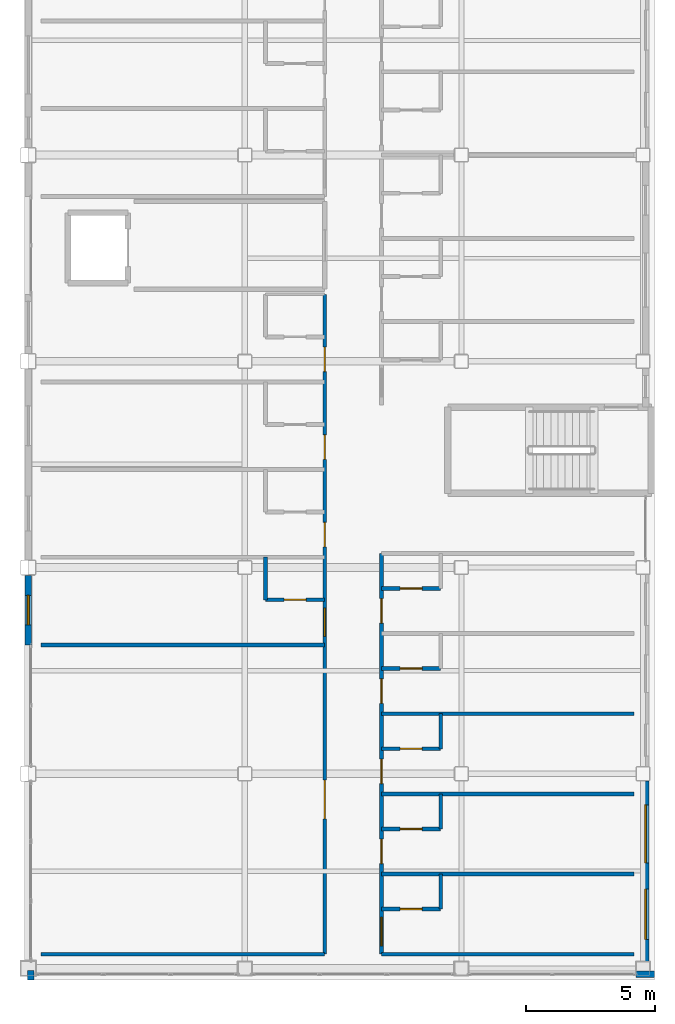
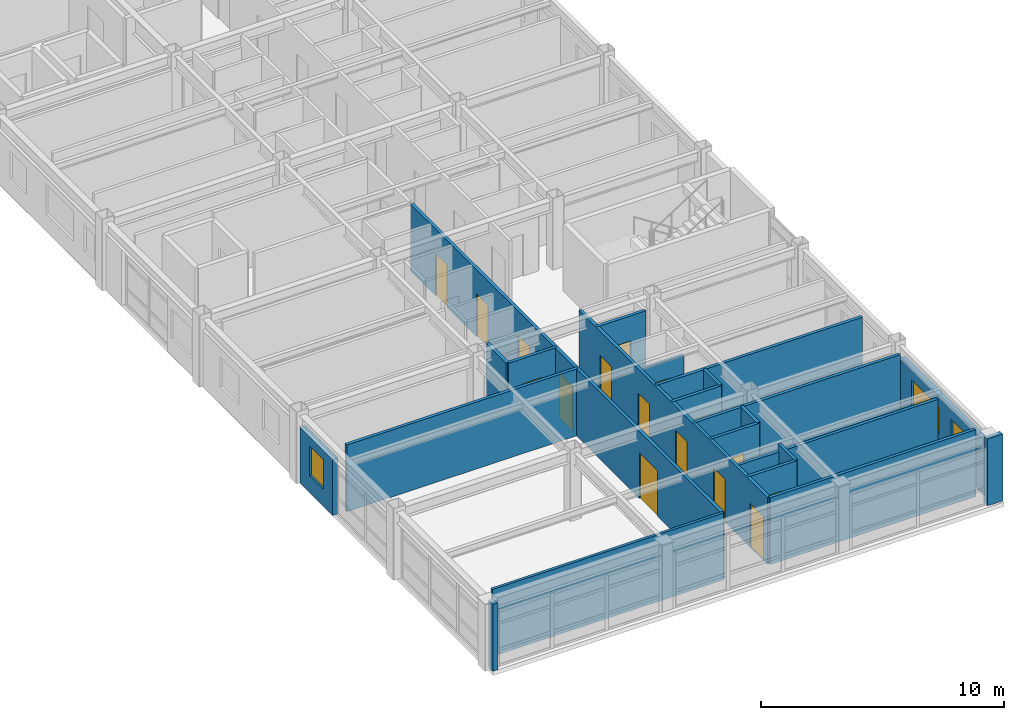
# One storey, part 24 of 36: 22 walls, 16 doors, 3 windows, 19 openings.
"""IFC4 building model written with IfcOpenShell, lengths in metres."""

import ifcopenshell
import ifcopenshell.guid

model = None  # the IFC model being written
_history = None  # IfcOwnerHistory: only IFC2X3 demands one
_inside = {}  # id of a spatial element -> (the spatial element, [elements in it])
_under = {}  # id of a project, library or spatial element -> (it, [spatial elements below it])
_declared = {}  # id of a project -> (the project, [libraries it declares])
_typed = {}  # id of a type object -> (the type object, [elements of that type])
_made_of = {}  # id of a material, layer set ... -> (it, [elements and type objects made of it])


def new_model(schema):
    """Start an empty IFC model of exactly this schema.

    Asked for "IFC4X3", IfcOpenShell would pick the latest addendum, in which some entities
    have other attributes; the version numbers below select the first issue.
    IFC2X3 requires an IfcOwnerHistory on every rooted entity: one is made here for all.
    """
    global model, _history
    if schema == "IFC4X3":
        model = ifcopenshell.file(schema_version=(4, 3, 0, 0))
    else:
        model = ifcopenshell.file(schema=schema)
    _inside.clear()
    _under.clear()
    _declared.clear()
    _typed.clear()
    _made_of.clear()
    _history = None
    if model.schema == "IFC2X3":
        org = make("IfcOrganization", Name="unknown")
        user = make(
            "IfcPersonAndOrganization",
            ThePerson=make("IfcPerson", FamilyName="unknown"),
            TheOrganization=org,
        )
        app = make(
            "IfcApplication",
            ApplicationDeveloper=org,
            Version="unknown",
            ApplicationFullName="unknown",
            ApplicationIdentifier="unknown",
        )
        _history = make(
            "IfcOwnerHistory",
            OwningUser=user,
            OwningApplication=app,
            ChangeAction="ADDED",
            CreationDate=0,
        )
    return model


def make(cls, **values):
    """One entity of the class cls with the attributes given. An attribute that is None is left unset."""
    return model.create_entity(
        cls, **{name: value for name, value in values.items() if value is not None}
    )


def rooted(cls, **values):
    """An entity with a GlobalId (a new one), such as an element, a storey or a relation."""
    return make(cls, GlobalId=ifcopenshell.guid.new(), OwnerHistory=_history, **values)


def si_unit(unit_type, name, prefix=None):
    """IfcSIUnit, for example si_unit("LENGTHUNIT", "METRE", prefix="MILLI")."""
    return make("IfcSIUnit", UnitType=unit_type, Prefix=prefix, Name=name)


def assignment(units):
    """IfcUnitAssignment: the units of a project."""
    return None if units is None else make("IfcUnitAssignment", Units=units)


def point(xyz):
    """IfcCartesianPoint."""
    return None if xyz is None else make("IfcCartesianPoint", Coordinates=xyz)


def direction(xyz):
    """IfcDirection."""
    return None if xyz is None else make("IfcDirection", DirectionRatios=xyz)


def frame(location, z_axis=None, x_axis=None):
    """IfcAxis2Placement3D, a coordinate frame: its origin and axes. An axis left out is left unset."""
    return make(
        "IfcAxis2Placement3D",
        Location=point(location),
        Axis=direction(z_axis),
        RefDirection=direction(x_axis),
    )


def frame_2d(location, x_axis=None):
    """IfcAxis2Placement2D, a coordinate frame in the plane: its origin and x axis."""
    return make(
        "IfcAxis2Placement2D", Location=point(location), RefDirection=direction(x_axis)
    )


def origin():
    """The frame at (0, 0, 0) with its axes left unset."""
    return frame((0.0, 0.0, 0.0))


def place(relative_to, where):
    """IfcLocalPlacement: puts the frame where relative to a parent placement (None: the world)."""
    return make(
        "IfcLocalPlacement", PlacementRelTo=relative_to, RelativePlacement=where
    )


def context(
    kind, dimensions, precision=None, world=None, true_north=None, identifier=None
):
    """IfcGeometricRepresentationContext, for example the 3D "Model" context."""
    return make(
        "IfcGeometricRepresentationContext",
        ContextIdentifier=identifier,
        ContextType=kind,
        CoordinateSpaceDimension=dimensions,
        Precision=precision,
        WorldCoordinateSystem=world,
        TrueNorth=true_north,
    )


def subcontext(parent, identifier, kind, view, scale=None):
    """IfcGeometricRepresentationSubContext, for example "Body" below "Model"."""
    return make(
        "IfcGeometricRepresentationSubContext",
        ContextIdentifier=identifier,
        ContextType=kind,
        ParentContext=parent,
        TargetScale=scale,
        TargetView=view,
    )


def project(units=None, contexts=None):
    """IfcProject with its units and contexts."""
    return rooted(
        "IfcProject",
        Name="project",
        RepresentationContexts=contexts,
        UnitsInContext=assignment(units),
    )


def spatial(cls, under=None, at=None, **own):
    """A site, building, storey or space (cls), placed at a placement, below another one or the project."""
    s = rooted(cls, ObjectPlacement=at, **own)
    if under is not None:
        _under.setdefault(under.id(), (under, []))[1].append(s)
    return s


def profile(cls, at=None, kind="AREA", **sizes):
    """A parametric profile (cls). Its sizes go by their IFC names, for example OverallWidth=200.0."""
    return make(cls, ProfileType=kind, Position=at, **sizes)


def rectangle(**sizes):
    """IfcRectangleProfileDef."""
    return profile("IfcRectangleProfileDef", **sizes)


def extrude(swept, where, along, depth):
    """IfcExtrudedAreaSolid: the profile swept, set in the frame where, extruded along a direction by depth."""
    return make(
        "IfcExtrudedAreaSolid",
        SweptArea=swept,
        Position=where,
        ExtrudedDirection=direction(along),
        Depth=depth,
    )


def shape(context_of_items, identifier, shape_type, items):
    """IfcShapeRepresentation: the items that make up one representation, for example the "Body"."""
    return make(
        "IfcShapeRepresentation",
        ContextOfItems=context_of_items,
        RepresentationIdentifier=identifier,
        RepresentationType=shape_type,
        Items=items,
    )


def material(Name=None, Category=None):
    """IfcMaterial."""
    return make("IfcMaterial", Name=Name, Category=Category)


def layer(
    of_material, thickness, ventilated=None, Name=None, Category=None, Priority=None
):
    """IfcMaterialLayer: one layer of a wall or slab, of a material (None: an air gap)."""
    return make(
        "IfcMaterialLayer",
        Material=of_material,
        LayerThickness=thickness,
        IsVentilated=ventilated,
        Name=Name,
        Category=Category,
        Priority=Priority,
    )


def layer_set(layers, Name=None):
    """IfcMaterialLayerSet."""
    return make("IfcMaterialLayerSet", MaterialLayers=layers, LayerSetName=Name)


def made_of(thing, what):
    """Note that an element or type object is made of a material, layer set ...; save() writes the relation."""
    if what is not None:
        _made_of.setdefault(what.id(), (what, []))[1].append(thing)
    return thing


def type_object(cls, material=None, **own):
    """A type object (cls), such as IfcWallType, which elements share."""
    return made_of(rooted(cls, **own), material)


def element(
    cls,
    number,
    at=None,
    inside=None,
    cuts=None,
    type_object=None,
    material=None,
    context=None,
    identifier="Body",
    shape_type=None,
    held_by="IfcProductDefinitionShape",
    body=None,
    shapes=None,
    **own,
):
    """One element of the class cls, such as IfcWall. Its Tag is "e" and its number.

    at: its placement. inside: the storey or other place that contains it. cuts: it is an
    opening in that element (IfcRelVoidsElement). A single representation is given by context,
    identifier, shape_type and body (its items); several are given by shapes. held_by: the class
    of the entity that holds the representations. save() writes the other relations.
    """
    e = rooted(cls, Tag="e%d" % number, ObjectPlacement=at, **own)
    if body is not None:
        shapes = [shape(context, identifier, shape_type, body)]
    if shapes is not None:
        e.Representation = make(held_by, Representations=shapes)
    if inside is not None:
        _inside.setdefault(inside.id(), (inside, []))[1].append(e)
    if cuts is not None:
        rooted(
            "IfcRelVoidsElement", RelatingBuildingElement=cuts, RelatedOpeningElement=e
        )
    if type_object is not None:
        _typed.setdefault(type_object.id(), (type_object, []))[1].append(e)
    return made_of(e, material)


def fill(opening, filler):
    """IfcRelFillsElement: the door or window that sits in an opening."""
    return rooted(
        "IfcRelFillsElement",
        RelatingOpeningElement=opening,
        RelatedBuildingElement=filler,
    )


def aggregate(whole, parts):
    """IfcRelAggregates: a whole, such as a stair, and the parts it consists of."""
    return rooted("IfcRelAggregates", RelatingObject=whole, RelatedObjects=parts)


def save(model, path):
    """Write the relations noted so far, then the file.

    IfcRelAggregates (storeys below a building ...), IfcRelContainedInSpatialStructure (elements
    in a storey), IfcRelDefinesByType, IfcRelAssociatesMaterial and IfcRelDeclares: one each for
    every whole, place, type object, material and project.
    """
    for whole, parts in _under.values():
        aggregate(whole, parts)
    for where, things in _inside.values():
        rooted(
            "IfcRelContainedInSpatialStructure",
            RelatedElements=things,
            RelatingStructure=where,
        )
    for kind, things in _typed.values():
        rooted("IfcRelDefinesByType", RelatedObjects=things, RelatingType=kind)
    for what, things in _made_of.values():
        rooted("IfcRelAssociatesMaterial", RelatedObjects=things, RelatingMaterial=what)
    for by, libraries in _declared.values():
        rooted("IfcRelDeclares", RelatingContext=by, RelatedDefinitions=libraries)
    model.write(path)


model = new_model("IFC4")

# Units and contexts
model_context = context("Model", 3, precision=1e-05, world=origin(), true_north=direction((0.0, 1.0)))
body_context = subcontext(model_context, "Body", "Model", "MODEL_VIEW")
ifc_project = project(units=[si_unit("LENGTHUNIT", "METRE"), si_unit("AREAUNIT", "SQUARE_METRE"), si_unit("VOLUMEUNIT", "CUBIC_METRE"), si_unit("PLANEANGLEUNIT", "RADIAN"), si_unit("MASSUNIT", "GRAM", prefix="KILO")], contexts=[model_context])

# Site, building, storey
site_placement = place(None, origin())
site = spatial("IfcSite", under=ifc_project, at=site_placement, CompositionType="ELEMENT")
building_placement = place(site_placement, origin())
building = spatial("IfcBuilding", under=site, at=building_placement, Name="Kazehara Bluff Congress Hotel", CompositionType="ELEMENT")
storey_placement = place(building_placement, frame((0.0, 0.0, 28.199951171875)))
storey = spatial("IfcBuildingStorey", under=building, at=storey_placement, Name="L06", CompositionType="ELEMENT", Elevation=28.199951171875)

# Walls
ifc_material_1 = material(Name="Precast concrete C40/50", Category="concrete")
ifc_layer_1 = layer(ifc_material_1, 0.239990234375)
ifc_layer_set_1 = layer_set([ifc_layer_1], Name="Precast concrete C40/50")
wall_type_1 = type_object("IfcWallType", Name="TP-EW-240", PredefinedType="SOLIDWALL", material=ifc_layer_set_1)
wall_1_placement = place(storey_placement, frame((168.0, 0.219970703125, 0.0), z_axis=(0.0, 0.0, 1.0), x_axis=(-1.0, 0.0, 0.0)))
element("IfcWall", 1, at=wall_1_placement, inside=storey, type_object=wall_type_1, Name="L06 V5 perimeter spandrel pier 738", PredefinedType="SOLIDWALL", context=body_context, shape_type="SweptSolid", body=[
    extrude(rectangle(XDim=0.72509765625, YDim=0.239990234375, at=frame_2d((0.362548828125, 0.0))), origin(), (0.0, 0.0, 1.0), 3.364990234375),
])
wall_2_placement = place(storey_placement, frame((143.800048828125, 0.0, 0.0), z_axis=(0.0, 0.0, 1.0), x_axis=(0.0, 1.0, 0.0)))
element("IfcWall", 2, at=wall_2_placement, inside=storey, type_object=wall_type_1, Name="L06 V5 perimeter spandrel pier 742", PredefinedType="SOLIDWALL", context=body_context, shape_type="SweptSolid", body=[
    extrude(rectangle(XDim=0.360107421875, YDim=0.239990234375, at=frame_2d((0.18017578125, 0.0))), origin(), (0.0, 0.0, 1.0), 3.364990234375),
])

# Wall, openings, windows
ifc_material_2 = material(Name="Precast concrete C40/50", Category="concrete")
ifc_layer_2 = layer(ifc_material_2, 0.260009765625)
ifc_layer_set_2 = layer_set([ifc_layer_2], Name="Precast concrete C40/50")
wall_type_2 = type_object("IfcWallType", Name="TP-EW-260", PredefinedType="SOLIDWALL", material=ifc_layer_set_2)
wall_3_placement = place(storey_placement, frame((167.64990234375, 7.72509765625, 0.0), z_axis=(0.0, 0.0, 1.0), x_axis=(0.0, -1.0, 0.0)))
wall_3 = element("IfcWall", 3, at=wall_3_placement, inside=storey, type_object=wall_type_2, Name="L06 hotel facade panel 66", PredefinedType="SOLIDWALL", context=body_context, shape_type="SweptSolid", body=[
    extrude(rectangle(XDim=7.0, YDim=0.260009765625, at=frame_2d((3.5, 0.0))), origin(), (0.0, 0.0, 1.0), 2.755126953125),
])
opening_1_placement = place(wall_3_placement, frame((4.195068359375, 0.0, 0.85009765625)))
opening_1 = element("IfcOpeningElement", 4, at=opening_1_placement, cuts=wall_3, Name="Opening WN-41", PredefinedType="OPENING", context=body_context, shape_type="SweptSolid", body=[
    extrude(rectangle(XDim=1.949951171875, YDim=1.35009765625, at=frame_2d((0.97509765625, 0.675048828125))), frame((0.0, 0.139892578125, 0.0), z_axis=(0.0, -1.0, 0.0), x_axis=(1.0, 0.0, 0.0)), (0.0, 0.0, 1.0), 0.280029296875),
])
opening_2_placement = place(wall_3_placement, frame((0.93505859375, 0.0, 0.85009765625)))
opening_2 = element("IfcOpeningElement", 5, at=opening_2_placement, cuts=wall_3, Name="Opening WN-51", PredefinedType="OPENING", context=body_context, shape_type="SweptSolid", body=[
    extrude(rectangle(XDim=2.25, YDim=1.35009765625, at=frame_2d((1.125, 0.675048828125))), frame((0.0, 0.139892578125, 0.0), z_axis=(0.0, -1.0, 0.0), x_axis=(1.0, 0.0, 0.0)), (0.0, 0.0, 1.0), 0.280029296875),
])
ifc_material_3 = material(Name="Insulated low-E double glazing", Category="glass")
window_type_1 = type_object("IfcWindowType", Name="TP-WN-41", PartitioningType="DOUBLE_PANEL_VERTICAL", PredefinedType="WINDOW", material=ifc_material_3)
window_1_placement = place(opening_1_placement, origin())
window_1 = element("IfcWindow", 6, at=window_1_placement, inside=storey, type_object=window_type_1, Name="L06 guestroom window WN-41 119", OverallHeight=1.35009765625, OverallWidth=1.949951171875, PartitioningType="SINGLE_PANEL", PredefinedType="WINDOW", context=body_context, shape_type="SweptSolid", body=[
    extrude(rectangle(XDim=1.949951171875, YDim=1.35009765625, at=frame_2d((0.97509765625, 0.675048828125))), frame((0.0, 0.030029296875, 0.0), z_axis=(0.0, -1.0, 0.0), x_axis=(1.0, 0.0, 0.0)), (0.0, 0.0, 1.0), 0.06005859375),
])
fill(opening_1, window_1)
ifc_material_4 = material(Name="Insulated low-E double glazing", Category="glass")
window_type_2 = type_object("IfcWindowType", Name="TP-WN-51", PartitioningType="DOUBLE_PANEL_VERTICAL", PredefinedType="WINDOW", material=ifc_material_4)
window_2_placement = place(opening_2_placement, origin())
window_2 = element("IfcWindow", 7, at=window_2_placement, inside=storey, type_object=window_type_2, Name="L06 guestroom window WN-51 120", OverallHeight=1.35009765625, OverallWidth=2.25, PartitioningType="SINGLE_PANEL", PredefinedType="WINDOW", context=body_context, shape_type="SweptSolid", body=[
    extrude(rectangle(XDim=2.25, YDim=1.35009765625, at=frame_2d((1.125, 0.675048828125))), frame((0.0, 0.030029296875, 0.0), z_axis=(0.0, -1.0, 0.0), x_axis=(1.0, 0.0, 0.0)), (0.0, 0.0, 1.0), 0.06005859375),
])
fill(opening_2, window_2)

# Wall, opening, window
wall_4_placement = place(storey_placement, frame((143.699951171875, 13.0, 0.0), z_axis=(0.0, 0.0, 1.0), x_axis=(0.0, 1.0, 0.0)))
wall_4 = element("IfcWall", 8, at=wall_4_placement, inside=storey, type_object=wall_type_2, Name="L06 hotel facade panel 79", PredefinedType="SOLIDWALL", context=body_context, shape_type="SweptSolid", body=[
    extrude(rectangle(XDim=2.699951171875, YDim=0.260009765625, at=frame_2d((1.35009765625, 0.0))), origin(), (0.0, 0.0, 1.0), 2.804931640625),
])
opening_3_placement = place(wall_4_placement, frame((0.77490234375, 0.0, 0.85009765625)))
opening_3 = element("IfcOpeningElement", 9, at=opening_3_placement, cuts=wall_4, Name="Opening WN-02", PredefinedType="OPENING", context=body_context, shape_type="SweptSolid", body=[
    extrude(rectangle(XDim=1.14990234375, YDim=1.5, at=frame_2d((0.574951171875, 0.75))), frame((0.0, 0.139892578125, 0.0), z_axis=(0.0, -1.0, 0.0), x_axis=(1.0, 0.0, 0.0)), (0.0, 0.0, 1.0), 0.280029296875),
])
ifc_material_5 = material(Name="Insulated low-E double glazing", Category="glass")
window_type_3 = type_object("IfcWindowType", Name="TP-WN-02", PartitioningType="SINGLE_PANEL", PredefinedType="WINDOW", material=ifc_material_5)
window_3_placement = place(opening_3_placement, origin())
window_3 = element("IfcWindow", 10, at=window_3_placement, inside=storey, type_object=window_type_3, Name="L06 guestroom window WN-02 147", OverallHeight=1.5, OverallWidth=1.14990234375, PartitioningType="SINGLE_PANEL", PredefinedType="WINDOW", context=body_context, shape_type="SweptSolid", body=[
    extrude(rectangle(XDim=1.14990234375, YDim=1.5, at=frame_2d((0.574951171875, 0.75))), frame((0.0, 0.030029296875, 0.0), z_axis=(0.0, -1.0, 0.0), x_axis=(1.0, 0.0, 0.0)), (0.0, 0.0, 1.0), 0.06005859375),
])
fill(opening_3, window_3)

# Walls
ifc_material_6 = material(Name="Fire-rated gypsum board stud partition")
ifc_layer_3 = layer(ifc_material_6, 0.1298828125)
ifc_layer_set_3 = layer_set([ifc_layer_3], Name="Fire-rated gypsum board stud partition")
wall_type_3 = type_object("IfcWallType", Name="TP-PT-130", PredefinedType="PARTITIONING", material=ifc_layer_set_3)
wall_5_placement = place(storey_placement, frame((144.199951171875, 1.0, 0.0), z_axis=(0.0, 0.0, 1.0), x_axis=(1.0, 0.0, 0.0)))
element("IfcWall", 11, at=wall_5_placement, inside=storey, type_object=wall_type_3, Name="L06 partition PT-130 687", PredefinedType="PARTITIONING", context=body_context, shape_type="SweptSolid", body=[
    extrude(rectangle(XDim=11.0, YDim=0.1298828125, at=frame_2d((5.5, 0.0))), origin(), (0.0, 0.0, 1.0), 3.364990234375),
])
ifc_material_7 = material(Name="Fire-rated gypsum board stud partition")
ifc_layer_4 = layer(ifc_material_7, 0.14990234375)
ifc_layer_set_4 = layer_set([ifc_layer_4], Name="Fire-rated gypsum board stud partition")
wall_type_4 = type_object("IfcWallType", Name="TP-PT-150", PredefinedType="PARTITIONING", material=ifc_layer_set_4)
wall_6_placement = place(storey_placement, frame((157.39990234375, 1.0, 0.0), z_axis=(0.0, 0.0, 1.0), x_axis=(1.0, 0.0, 0.0)))
element("IfcWall", 12, at=wall_6_placement, inside=storey, type_object=wall_type_4, Name="L06 partition PT-150 688", PredefinedType="PARTITIONING", context=body_context, shape_type="SweptSolid", body=[
    extrude(rectangle(XDim=9.800048828125, YDim=0.14990234375, at=frame_2d((4.89990234375, 0.0))), origin(), (0.0, 0.0, 1.0), 3.364990234375),
])

# Wall, opening, door
wall_7_placement = place(storey_placement, frame((157.39990234375, 2.75, 0.0), z_axis=(0.0, 0.0, 1.0), x_axis=(1.0, 0.0, 0.0)))
wall_7 = element("IfcWall", 13, at=wall_7_placement, inside=storey, type_object=wall_type_4, Name="L06 partition PT-150 689", PredefinedType="PARTITIONING", context=body_context, shape_type="SweptSolid", body=[
    extrude(rectangle(XDim=2.300048828125, YDim=0.14990234375, at=frame_2d((1.14990234375, 0.0))), origin(), (0.0, 0.0, 1.0), 3.364990234375),
])
opening_4_placement = place(wall_7_placement, frame((0.72509765625, 0.0, 0.0)))
opening_4 = element("IfcOpeningElement", 14, at=opening_4_placement, cuts=wall_7, Name="Opening BD-01", PredefinedType="OPENING", context=body_context, shape_type="SweptSolid", body=[
    extrude(rectangle(XDim=0.85009765625, YDim=2.10009765625, at=frame_2d((0.425048828125, 1.050048828125))), frame((0.0, 0.0849609375, 0.0), z_axis=(0.0, -1.0, 0.0), x_axis=(1.0, 0.0, 0.0)), (0.0, 0.0, 1.0), 0.169921875),
])
ifc_material_8 = material(Name="Architectural oak veneer leaf")
door_type_1 = type_object("IfcDoorType", Name="TP-BD-01", OperationType="NOTDEFINED", PredefinedType="DOOR", material=ifc_material_8)
door_1_placement = place(opening_4_placement, origin())
door_1 = element("IfcDoor", 15, at=door_1_placement, inside=storey, type_object=door_type_1, Name="L06 En-suite Bathroom 139 door", OperationType="SINGLE_SWING_LEFT", OverallHeight=2.10009765625, OverallWidth=0.85009765625, PredefinedType="DOOR", context=body_context, shape_type="SweptSolid", body=[
    extrude(rectangle(XDim=0.85009765625, YDim=2.10009765625, at=frame_2d((0.425048828125, 1.050048828125))), frame((0.0, 0.02490234375, 0.0), z_axis=(0.0, -1.0, 0.0), x_axis=(1.0, 0.0, 0.0)), (0.0, 0.0, 1.0), 0.050048828125),
])
fill(opening_4, door_1)

# Wall
wall_8_placement = place(storey_placement, frame((157.39990234375, 4.110107421875, 0.0), z_axis=(0.0, 0.0, 1.0), x_axis=(1.0, 0.0, 0.0)))
element("IfcWall", 16, at=wall_8_placement, inside=storey, type_object=wall_type_4, Name="L06 partition PT-150 690", PredefinedType="PARTITIONING", context=body_context, shape_type="SweptSolid", body=[
    extrude(rectangle(XDim=9.800048828125, YDim=0.14990234375, at=frame_2d((4.89990234375, 0.0))), origin(), (0.0, 0.0, 1.0), 3.005126953125),
])

# Wall, opening, door
wall_9_placement = place(storey_placement, frame((157.39990234375, 5.860107421875, 0.0), z_axis=(0.0, 0.0, 1.0), x_axis=(1.0, 0.0, 0.0)))
wall_9 = element("IfcWall", 17, at=wall_9_placement, inside=storey, type_object=wall_type_4, Name="L06 partition PT-150 691", PredefinedType="PARTITIONING", context=body_context, shape_type="SweptSolid", body=[
    extrude(rectangle(XDim=2.300048828125, YDim=0.14990234375, at=frame_2d((1.14990234375, 0.0))), origin(), (0.0, 0.0, 1.0), 3.364990234375),
])
opening_5_placement = place(wall_9_placement, frame((0.72509765625, 0.0, 0.0)))
opening_5 = element("IfcOpeningElement", 18, at=opening_5_placement, cuts=wall_9, Name="Opening BD-01", PredefinedType="OPENING", context=body_context, shape_type="SweptSolid", body=[
    extrude(rectangle(XDim=0.85009765625, YDim=2.10009765625, at=frame_2d((0.425048828125, 1.050048828125))), frame((0.0, 0.0849609375, 0.0), z_axis=(0.0, -1.0, 0.0), x_axis=(1.0, 0.0, 0.0)), (0.0, 0.0, 1.0), 0.169921875),
])
door_2_placement = place(opening_5_placement, origin())
door_2 = element("IfcDoor", 19, at=door_2_placement, inside=storey, type_object=door_type_1, Name="L06 En-suite Bathroom 140 door", OperationType="SINGLE_SWING_LEFT", OverallHeight=2.10009765625, OverallWidth=0.85009765625, PredefinedType="DOOR", context=body_context, shape_type="SweptSolid", body=[
    extrude(rectangle(XDim=0.85009765625, YDim=2.10009765625, at=frame_2d((0.425048828125, 1.050048828125))), frame((0.0, 0.02490234375, 0.0), z_axis=(0.0, -1.0, 0.0), x_axis=(1.0, 0.0, 0.0)), (0.0, 0.0, 1.0), 0.050048828125),
])
fill(opening_5, door_2)

# Wall
wall_10_placement = place(storey_placement, frame((157.39990234375, 7.219970703125, 0.0), z_axis=(0.0, 0.0, 1.0), x_axis=(1.0, 0.0, 0.0)))
element("IfcWall", 20, at=wall_10_placement, inside=storey, type_object=wall_type_4, Name="L06 partition PT-150 692", PredefinedType="PARTITIONING", context=body_context, shape_type="SweptSolid", body=[
    extrude(rectangle(XDim=9.800048828125, YDim=0.14990234375, at=frame_2d((4.89990234375, 0.0))), origin(), (0.0, 0.0, 1.0), 3.364990234375),
])

# Wall, opening, door
wall_11_placement = place(storey_placement, frame((157.39990234375, 8.969970703125, 0.0), z_axis=(0.0, 0.0, 1.0), x_axis=(1.0, 0.0, 0.0)))
wall_11 = element("IfcWall", 21, at=wall_11_placement, inside=storey, type_object=wall_type_4, Name="L06 partition PT-150 693", PredefinedType="PARTITIONING", context=body_context, shape_type="SweptSolid", body=[
    extrude(rectangle(XDim=2.300048828125, YDim=0.14990234375, at=frame_2d((1.14990234375, 0.0))), origin(), (0.0, 0.0, 1.0), 3.364990234375),
])
opening_6_placement = place(wall_11_placement, frame((0.72509765625, 0.0, 0.0)))
opening_6 = element("IfcOpeningElement", 22, at=opening_6_placement, cuts=wall_11, Name="Opening BD-01", PredefinedType="OPENING", context=body_context, shape_type="SweptSolid", body=[
    extrude(rectangle(XDim=0.85009765625, YDim=2.10009765625, at=frame_2d((0.425048828125, 1.050048828125))), frame((0.0, 0.0849609375, 0.0), z_axis=(0.0, -1.0, 0.0), x_axis=(1.0, 0.0, 0.0)), (0.0, 0.0, 1.0), 0.169921875),
])
door_3_placement = place(opening_6_placement, origin())
door_3 = element("IfcDoor", 23, at=door_3_placement, inside=storey, type_object=door_type_1, Name="L06 En-suite Bathroom 141 door", OperationType="SINGLE_SWING_LEFT", OverallHeight=2.10009765625, OverallWidth=0.85009765625, PredefinedType="DOOR", context=body_context, shape_type="SweptSolid", body=[
    extrude(rectangle(XDim=0.85009765625, YDim=2.10009765625, at=frame_2d((0.425048828125, 1.050048828125))), frame((0.0, 0.02490234375, 0.0), z_axis=(0.0, -1.0, 0.0), x_axis=(1.0, 0.0, 0.0)), (0.0, 0.0, 1.0), 0.050048828125),
])
fill(opening_6, door_3)

# Wall
wall_12_placement = place(storey_placement, frame((157.39990234375, 10.330078125, 0.0), z_axis=(0.0, 0.0, 1.0), x_axis=(1.0, 0.0, 0.0)))
element("IfcWall", 24, at=wall_12_placement, inside=storey, type_object=wall_type_4, Name="L06 partition PT-150 694", PredefinedType="PARTITIONING", context=body_context, shape_type="SweptSolid", body=[
    extrude(rectangle(XDim=9.800048828125, YDim=0.14990234375, at=frame_2d((4.89990234375, 0.0))), origin(), (0.0, 0.0, 1.0), 3.364990234375),
])

# Wall, opening, door
wall_13_placement = place(storey_placement, frame((157.39990234375, 12.080078125, 0.0), z_axis=(0.0, 0.0, 1.0), x_axis=(1.0, 0.0, 0.0)))
wall_13 = element("IfcWall", 25, at=wall_13_placement, inside=storey, type_object=wall_type_4, Name="L06 partition PT-150 695", PredefinedType="PARTITIONING", context=body_context, shape_type="SweptSolid", body=[
    extrude(rectangle(XDim=2.300048828125, YDim=0.14990234375, at=frame_2d((1.14990234375, 0.0))), origin(), (0.0, 0.0, 1.0), 3.005126953125),
])
opening_7_placement = place(wall_13_placement, frame((0.72509765625, 0.0, 0.0)))
opening_7 = element("IfcOpeningElement", 26, at=opening_7_placement, cuts=wall_13, Name="Opening BD-01", PredefinedType="OPENING", context=body_context, shape_type="SweptSolid", body=[
    extrude(rectangle(XDim=0.85009765625, YDim=2.10009765625, at=frame_2d((0.425048828125, 1.050048828125))), frame((0.0, 0.0849609375, 0.0), z_axis=(0.0, -1.0, 0.0), x_axis=(1.0, 0.0, 0.0)), (0.0, 0.0, 1.0), 0.169921875),
])
door_4_placement = place(opening_7_placement, origin())
door_4 = element("IfcDoor", 27, at=door_4_placement, inside=storey, type_object=door_type_1, Name="L06 En-suite Bathroom 142 door", OperationType="SINGLE_SWING_LEFT", OverallHeight=2.10009765625, OverallWidth=0.85009765625, PredefinedType="DOOR", context=body_context, shape_type="SweptSolid", body=[
    extrude(rectangle(XDim=0.85009765625, YDim=2.10009765625, at=frame_2d((0.425048828125, 1.050048828125))), frame((0.0, 0.02490234375, 0.0), z_axis=(0.0, -1.0, 0.0), x_axis=(1.0, 0.0, 0.0)), (0.0, 0.0, 1.0), 0.050048828125),
])
fill(opening_7, door_4)

# Wall
wall_14_placement = place(storey_placement, frame((144.199951171875, 13.0, 0.0), z_axis=(0.0, 0.0, 1.0), x_axis=(1.0, 0.0, 0.0)))
element("IfcWall", 28, at=wall_14_placement, inside=storey, type_object=wall_type_4, Name="L06 partition PT-150 696", PredefinedType="PARTITIONING", context=body_context, shape_type="SweptSolid", body=[
    extrude(rectangle(XDim=11.0, YDim=0.14990234375, at=frame_2d((5.5, 0.0))), origin(), (0.0, 0.0, 1.0), 3.364990234375),
])

# Wall, opening, door
wall_15_placement = place(storey_placement, frame((152.89990234375, 14.75, 0.0), z_axis=(0.0, 0.0, 1.0), x_axis=(1.0, 0.0, 0.0)))
wall_15 = element("IfcWall", 29, at=wall_15_placement, inside=storey, type_object=wall_type_4, Name="L06 partition PT-150 698", PredefinedType="PARTITIONING", context=body_context, shape_type="SweptSolid", body=[
    extrude(rectangle(XDim=2.300048828125, YDim=0.14990234375, at=frame_2d((1.14990234375, 0.0))), origin(), (0.0, 0.0, 1.0), 3.364990234375),
])
opening_8_placement = place(wall_15_placement, frame((0.72509765625, 0.0, 0.0)))
opening_8 = element("IfcOpeningElement", 30, at=opening_8_placement, cuts=wall_15, Name="Opening BD-01", PredefinedType="OPENING", context=body_context, shape_type="SweptSolid", body=[
    extrude(rectangle(XDim=0.85009765625, YDim=2.10009765625, at=frame_2d((0.425048828125, 1.050048828125))), frame((0.0, 0.0849609375, 0.0), z_axis=(0.0, -1.0, 0.0), x_axis=(1.0, 0.0, 0.0)), (0.0, 0.0, 1.0), 0.169921875),
])
door_5_placement = place(opening_8_placement, origin())
door_5 = element("IfcDoor", 31, at=door_5_placement, inside=storey, type_object=door_type_1, Name="L06 En-suite Bathroom 119 door", OperationType="SINGLE_SWING_LEFT", OverallHeight=2.10009765625, OverallWidth=0.85009765625, PredefinedType="DOOR", context=body_context, shape_type="SweptSolid", body=[
    extrude(rectangle(XDim=0.85009765625, YDim=2.10009765625, at=frame_2d((0.425048828125, 1.050048828125))), frame((0.0, 0.02490234375, 0.0), z_axis=(0.0, -1.0, 0.0), x_axis=(1.0, 0.0, 0.0)), (0.0, 0.0, 1.0), 0.050048828125),
])
fill(opening_8, door_5)

wall_16_placement = place(storey_placement, frame((157.39990234375, 15.18994140625, 0.0), z_axis=(0.0, 0.0, 1.0), x_axis=(1.0, 0.0, 0.0)))
wall_16 = element("IfcWall", 32, at=wall_16_placement, inside=storey, type_object=wall_type_4, Name="L06 partition PT-150 699", PredefinedType="PARTITIONING", context=body_context, shape_type="SweptSolid", body=[
    extrude(rectangle(XDim=2.300048828125, YDim=0.14990234375, at=frame_2d((1.14990234375, 0.0))), origin(), (0.0, 0.0, 1.0), 3.364990234375),
])
opening_9_placement = place(wall_16_placement, frame((0.72509765625, 0.0, 0.0)))
opening_9 = element("IfcOpeningElement", 33, at=opening_9_placement, cuts=wall_16, Name="Opening BD-01", PredefinedType="OPENING", context=body_context, shape_type="SweptSolid", body=[
    extrude(rectangle(XDim=0.85009765625, YDim=2.10009765625, at=frame_2d((0.425048828125, 1.050048828125))), frame((0.0, 0.0849609375, 0.0), z_axis=(0.0, -1.0, 0.0), x_axis=(1.0, 0.0, 0.0)), (0.0, 0.0, 1.0), 0.169921875),
])
door_6_placement = place(opening_9_placement, origin())
door_6 = element("IfcDoor", 34, at=door_6_placement, inside=storey, type_object=door_type_1, Name="L06 En-suite Bathroom 143 door", OperationType="SINGLE_SWING_LEFT", OverallHeight=2.10009765625, OverallWidth=0.85009765625, PredefinedType="DOOR", context=body_context, shape_type="SweptSolid", body=[
    extrude(rectangle(XDim=0.85009765625, YDim=2.10009765625, at=frame_2d((0.425048828125, 1.050048828125))), frame((0.0, 0.02490234375, 0.0), z_axis=(0.0, -1.0, 0.0), x_axis=(1.0, 0.0, 0.0)), (0.0, 0.0, 1.0), 0.050048828125),
])
fill(opening_9, door_6)

# Wall
wall_17_placement = place(storey_placement, frame((152.89990234375, 14.75, 0.0), z_axis=(0.0, 0.0, 1.0), x_axis=(0.0, 1.0, 0.0)))
element("IfcWall", 35, at=wall_17_placement, inside=storey, type_object=wall_type_4, Name="L06 partition PT-150 801", PredefinedType="PARTITIONING", context=body_context, shape_type="SweptSolid", body=[
    extrude(rectangle(XDim=1.64990234375, YDim=0.14990234375, at=frame_2d((0.824951171875, 0.0))), origin(), (0.0, 0.0, 1.0), 3.364990234375),
])

# Wall, openings, doors
wall_18_placement = place(storey_placement, frame((155.199951171875, 1.0, 0.0), z_axis=(0.0, 0.0, 1.0), x_axis=(0.0, 1.0, 0.0)))
wall_18 = element("IfcWall", 36, at=wall_18_placement, inside=storey, type_object=wall_type_4, Name="L06 partition PT-150 821", PredefinedType="PARTITIONING", context=body_context, shape_type="SweptSolid", body=[
    extrude(rectangle(XDim=25.60009765625, YDim=0.14990234375, at=frame_2d((12.800048828125, 0.0))), origin(), (0.0, 0.0, 1.0), 3.364990234375),
])
opening_10_placement = place(wall_18_placement, frame((5.25, 0.0, 0.0)))
opening_10 = element("IfcOpeningElement", 37, at=opening_10_placement, cuts=wall_18, Name="Opening AD-01", PredefinedType="OPENING", context=body_context, shape_type="SweptSolid", body=[
    extrude(rectangle(XDim=1.5, YDim=2.300048828125, at=frame_2d((0.75, 1.14990234375))), frame((0.0, 0.0849609375, 0.0), z_axis=(0.0, -1.0, 0.0), x_axis=(1.0, 0.0, 0.0)), (0.0, 0.0, 1.0), 0.169921875),
])
opening_11_placement = place(wall_18_placement, frame((12.324951171875, 0.0, 0.0)))
opening_11 = element("IfcOpeningElement", 38, at=opening_11_placement, cuts=wall_18, Name="Opening GD-02", PredefinedType="OPENING", context=body_context, shape_type="SweptSolid", body=[
    extrude(rectangle(XDim=1.10009765625, YDim=2.199951171875, at=frame_2d((0.550048828125, 1.10009765625))), frame((0.0, 0.0849609375, 0.0), z_axis=(0.0, -1.0, 0.0), x_axis=(1.0, 0.0, 0.0)), (0.0, 0.0, 1.0), 0.169921875),
])
opening_12_placement = place(wall_18_placement, frame((15.800048828125, 0.0, 0.0)))
opening_12 = element("IfcOpeningElement", 39, at=opening_12_placement, cuts=wall_18, Name="Opening GD-01", PredefinedType="OPENING", context=body_context, shape_type="SweptSolid", body=[
    extrude(rectangle(XDim=0.949951171875, YDim=2.14990234375, at=frame_2d((0.47509765625, 1.074951171875))), frame((0.0, 0.0849609375, 0.0), z_axis=(0.0, -1.0, 0.0), x_axis=(1.0, 0.0, 0.0)), (0.0, 0.0, 1.0), 0.169921875),
])
opening_13_placement = place(wall_18_placement, frame((19.199951171875, 0.0, 0.0)))
opening_13 = element("IfcOpeningElement", 40, at=opening_13_placement, cuts=wall_18, Name="Opening GD-01", PredefinedType="OPENING", context=body_context, shape_type="SweptSolid", body=[
    extrude(rectangle(XDim=0.949951171875, YDim=2.14990234375, at=frame_2d((0.47509765625, 1.074951171875))), frame((0.0, 0.0849609375, 0.0), z_axis=(0.0, -1.0, 0.0), x_axis=(1.0, 0.0, 0.0)), (0.0, 0.0, 1.0), 0.169921875),
])
opening_14_placement = place(wall_18_placement, frame((22.60009765625, 0.0, 0.0)))
opening_14 = element("IfcOpeningElement", 41, at=opening_14_placement, cuts=wall_18, Name="Opening GD-01", PredefinedType="OPENING", context=body_context, shape_type="SweptSolid", body=[
    extrude(rectangle(XDim=0.949951171875, YDim=2.14990234375, at=frame_2d((0.47509765625, 1.074951171875))), frame((0.0, 0.0849609375, 0.0), z_axis=(0.0, -1.0, 0.0), x_axis=(1.0, 0.0, 0.0)), (0.0, 0.0, 1.0), 0.169921875),
])
ifc_material_9 = material(Name="Architectural oak veneer leaf")
door_type_2 = type_object("IfcDoorType", Name="TP-AD-01", OperationType="DOUBLE_DOOR_SINGLE_SWING", PredefinedType="DOOR", material=ifc_material_9)
door_7_placement = place(opening_10_placement, origin())
door_7 = element("IfcDoor", 42, at=door_7_placement, inside=storey, type_object=door_type_2, Name="L06 South Harbour View Lounge door", OperationType="DOUBLE_DOOR_SINGLE_SWING", OverallHeight=2.300048828125, OverallWidth=1.5, PredefinedType="DOOR", context=body_context, shape_type="SweptSolid", body=[
    extrude(rectangle(XDim=1.5, YDim=2.300048828125, at=frame_2d((0.75, 1.14990234375))), frame((0.0, 0.02490234375, 0.0), z_axis=(0.0, -1.0, 0.0), x_axis=(1.0, 0.0, 0.0)), (0.0, 0.0, 1.0), 0.050048828125),
])
fill(opening_10, door_7)
ifc_material_10 = material(Name="Architectural oak veneer leaf")
door_type_3 = type_object("IfcDoorType", Name="TP-GD-01", OperationType="NOTDEFINED", PredefinedType="DOOR", material=ifc_material_10)
door_8_placement = place(opening_12_placement, origin())
door_8 = element("IfcDoor", 43, at=door_8_placement, inside=storey, type_object=door_type_3, Name="L06 Deluxe Twin Guest Room 120 door", OperationType="SINGLE_SWING_RIGHT", OverallHeight=2.14990234375, OverallWidth=0.949951171875, PredefinedType="DOOR", context=body_context, shape_type="SweptSolid", body=[
    extrude(rectangle(XDim=0.949951171875, YDim=2.14990234375, at=frame_2d((0.47509765625, 1.074951171875))), frame((0.0, 0.02490234375, 0.0), z_axis=(0.0, -1.0, 0.0), x_axis=(1.0, 0.0, 0.0)), (0.0, 0.0, 1.0), 0.050048828125),
])
fill(opening_12, door_8)
door_9_placement = place(opening_13_placement, origin())
door_9 = element("IfcDoor", 44, at=door_9_placement, inside=storey, type_object=door_type_3, Name="L06 Standard King Guest Room 121 door", OperationType="SINGLE_SWING_RIGHT", OverallHeight=2.14990234375, OverallWidth=0.949951171875, PredefinedType="DOOR", context=body_context, shape_type="SweptSolid", body=[
    extrude(rectangle(XDim=0.949951171875, YDim=2.14990234375, at=frame_2d((0.47509765625, 1.074951171875))), frame((0.0, 0.02490234375, 0.0), z_axis=(0.0, -1.0, 0.0), x_axis=(1.0, 0.0, 0.0)), (0.0, 0.0, 1.0), 0.050048828125),
])
fill(opening_13, door_9)
door_10_placement = place(opening_14_placement, origin())
door_10 = element("IfcDoor", 45, at=door_10_placement, inside=storey, type_object=door_type_3, Name="L06 Deluxe Twin Guest Room 122 door", OperationType="SINGLE_SWING_RIGHT", OverallHeight=2.14990234375, OverallWidth=0.949951171875, PredefinedType="DOOR", context=body_context, shape_type="SweptSolid", body=[
    extrude(rectangle(XDim=0.949951171875, YDim=2.14990234375, at=frame_2d((0.47509765625, 1.074951171875))), frame((0.0, 0.02490234375, 0.0), z_axis=(0.0, -1.0, 0.0), x_axis=(1.0, 0.0, 0.0)), (0.0, 0.0, 1.0), 0.050048828125),
])
fill(opening_14, door_10)
ifc_material_11 = material(Name="Architectural oak veneer leaf")
door_type_4 = type_object("IfcDoorType", Name="TP-GD-02", OperationType="NOTDEFINED", PredefinedType="DOOR", material=ifc_material_11)
door_11_placement = place(opening_11_placement, origin())
door_11 = element("IfcDoor", 46, at=door_11_placement, inside=storey, type_object=door_type_4, Name="L06 Accessible Suite 119 door", OperationType="SINGLE_SWING_RIGHT", OverallHeight=2.199951171875, OverallWidth=1.10009765625, PredefinedType="DOOR", context=body_context, shape_type="SweptSolid", body=[
    extrude(rectangle(XDim=1.10009765625, YDim=2.199951171875, at=frame_2d((0.550048828125, 1.10009765625))), frame((0.0, 0.02490234375, 0.0), z_axis=(0.0, -1.0, 0.0), x_axis=(1.0, 0.0, 0.0)), (0.0, 0.0, 1.0), 0.050048828125),
])
fill(opening_11, door_11)

wall_19_placement = place(storey_placement, frame((157.39990234375, 1.0, 0.0), z_axis=(0.0, 0.0, 1.0), x_axis=(0.0, 1.0, 0.0)))
wall_19 = element("IfcWall", 47, at=wall_19_placement, inside=storey, type_object=wall_type_4, Name="L06 partition PT-150 828", PredefinedType="PARTITIONING", context=body_context, shape_type="SweptSolid", body=[
    extrude(rectangle(XDim=15.550048828125, YDim=0.14990234375, at=frame_2d((7.77490234375, 0.0))), origin(), (0.0, 0.0, 1.0), 3.364990234375),
])
opening_15_placement = place(wall_19_placement, frame((0.324951171875, 0.0, 0.0)))
opening_15 = element("IfcOpeningElement", 48, at=opening_15_placement, cuts=wall_19, Name="Opening GD-02", PredefinedType="OPENING", context=body_context, shape_type="SweptSolid", body=[
    extrude(rectangle(XDim=1.10009765625, YDim=2.199951171875, at=frame_2d((0.550048828125, 1.10009765625))), frame((0.0, 0.0849609375, 0.0), z_axis=(0.0, -1.0, 0.0), x_axis=(1.0, 0.0, 0.0)), (0.0, 0.0, 1.0), 0.169921875),
])
opening_16_placement = place(wall_19_placement, frame((3.510009765625, 0.0, 0.0)))
opening_16 = element("IfcOpeningElement", 49, at=opening_16_placement, cuts=wall_19, Name="Opening GD-01", PredefinedType="OPENING", context=body_context, shape_type="SweptSolid", body=[
    extrude(rectangle(XDim=0.949951171875, YDim=2.14990234375, at=frame_2d((0.47509765625, 1.074951171875))), frame((0.0, 0.0849609375, 0.0), z_axis=(0.0, -1.0, 0.0), x_axis=(1.0, 0.0, 0.0)), (0.0, 0.0, 1.0), 0.169921875),
])
opening_17_placement = place(wall_19_placement, frame((6.6201171875, 0.0, 0.0)))
opening_17 = element("IfcOpeningElement", 50, at=opening_17_placement, cuts=wall_19, Name="Opening GD-01", PredefinedType="OPENING", context=body_context, shape_type="SweptSolid", body=[
    extrude(rectangle(XDim=0.949951171875, YDim=2.14990234375, at=frame_2d((0.47509765625, 1.074951171875))), frame((0.0, 0.0849609375, 0.0), z_axis=(0.0, -1.0, 0.0), x_axis=(1.0, 0.0, 0.0)), (0.0, 0.0, 1.0), 0.169921875),
])
opening_18_placement = place(wall_19_placement, frame((9.72998046875, 0.0, 0.0)))
opening_18 = element("IfcOpeningElement", 51, at=opening_18_placement, cuts=wall_19, Name="Opening GD-01", PredefinedType="OPENING", context=body_context, shape_type="SweptSolid", body=[
    extrude(rectangle(XDim=0.949951171875, YDim=2.14990234375, at=frame_2d((0.47509765625, 1.074951171875))), frame((0.0, 0.0849609375, 0.0), z_axis=(0.0, -1.0, 0.0), x_axis=(1.0, 0.0, 0.0)), (0.0, 0.0, 1.0), 0.169921875),
])
opening_19_placement = place(wall_19_placement, frame((12.840087890625, 0.0, 0.0)))
opening_19 = element("IfcOpeningElement", 52, at=opening_19_placement, cuts=wall_19, Name="Opening GD-01", PredefinedType="OPENING", context=body_context, shape_type="SweptSolid", body=[
    extrude(rectangle(XDim=0.949951171875, YDim=2.14990234375, at=frame_2d((0.47509765625, 1.074951171875))), frame((0.0, 0.0849609375, 0.0), z_axis=(0.0, -1.0, 0.0), x_axis=(1.0, 0.0, 0.0)), (0.0, 0.0, 1.0), 0.169921875),
])
door_12_placement = place(opening_16_placement, origin())
door_12 = element("IfcDoor", 53, at=door_12_placement, inside=storey, type_object=door_type_3, Name="L06 Deluxe Twin Guest Room 140 door", OperationType="SINGLE_SWING_RIGHT", OverallHeight=2.14990234375, OverallWidth=0.949951171875, PredefinedType="DOOR", context=body_context, shape_type="SweptSolid", body=[
    extrude(rectangle(XDim=0.949951171875, YDim=2.14990234375, at=frame_2d((0.47509765625, 1.074951171875))), frame((0.0, 0.02490234375, 0.0), z_axis=(0.0, -1.0, 0.0), x_axis=(1.0, 0.0, 0.0)), (0.0, 0.0, 1.0), 0.050048828125),
])
fill(opening_16, door_12)
door_13_placement = place(opening_17_placement, origin())
door_13 = element("IfcDoor", 54, at=door_13_placement, inside=storey, type_object=door_type_3, Name="L06 Standard King Guest Room 141 door", OperationType="SINGLE_SWING_RIGHT", OverallHeight=2.14990234375, OverallWidth=0.949951171875, PredefinedType="DOOR", context=body_context, shape_type="SweptSolid", body=[
    extrude(rectangle(XDim=0.949951171875, YDim=2.14990234375, at=frame_2d((0.47509765625, 1.074951171875))), frame((0.0, 0.02490234375, 0.0), z_axis=(0.0, -1.0, 0.0), x_axis=(1.0, 0.0, 0.0)), (0.0, 0.0, 1.0), 0.050048828125),
])
fill(opening_17, door_13)
door_14_placement = place(opening_18_placement, origin())
door_14 = element("IfcDoor", 55, at=door_14_placement, inside=storey, type_object=door_type_3, Name="L06 Deluxe Twin Guest Room 142 door", OperationType="SINGLE_SWING_RIGHT", OverallHeight=2.14990234375, OverallWidth=0.949951171875, PredefinedType="DOOR", context=body_context, shape_type="SweptSolid", body=[
    extrude(rectangle(XDim=0.949951171875, YDim=2.14990234375, at=frame_2d((0.47509765625, 1.074951171875))), frame((0.0, 0.02490234375, 0.0), z_axis=(0.0, -1.0, 0.0), x_axis=(1.0, 0.0, 0.0)), (0.0, 0.0, 1.0), 0.050048828125),
])
fill(opening_18, door_14)
door_15_placement = place(opening_19_placement, origin())
door_15 = element("IfcDoor", 56, at=door_15_placement, inside=storey, type_object=door_type_3, Name="L06 Standard King Guest Room 143 door", OperationType="SINGLE_SWING_RIGHT", OverallHeight=2.14990234375, OverallWidth=0.949951171875, PredefinedType="DOOR", context=body_context, shape_type="SweptSolid", body=[
    extrude(rectangle(XDim=0.949951171875, YDim=2.14990234375, at=frame_2d((0.47509765625, 1.074951171875))), frame((0.0, 0.02490234375, 0.0), z_axis=(0.0, -1.0, 0.0), x_axis=(1.0, 0.0, 0.0)), (0.0, 0.0, 1.0), 0.050048828125),
])
fill(opening_19, door_15)
door_16_placement = place(opening_15_placement, origin())
door_16 = element("IfcDoor", 57, at=door_16_placement, inside=storey, type_object=door_type_4, Name="L06 Executive Suite 139 door", OperationType="SINGLE_SWING_RIGHT", OverallHeight=2.199951171875, OverallWidth=1.10009765625, PredefinedType="DOOR", context=body_context, shape_type="SweptSolid", body=[
    extrude(rectangle(XDim=1.10009765625, YDim=2.199951171875, at=frame_2d((0.550048828125, 1.10009765625))), frame((0.0, 0.02490234375, 0.0), z_axis=(0.0, -1.0, 0.0), x_axis=(1.0, 0.0, 0.0)), (0.0, 0.0, 1.0), 0.050048828125),
])
fill(opening_15, door_16)

# Walls
wall_20_placement = place(storey_placement, frame((159.699951171875, 2.75, 0.0), z_axis=(0.0, 0.0, 1.0), x_axis=(0.0, 1.0, 0.0)))
element("IfcWall", 58, at=wall_20_placement, inside=storey, type_object=wall_type_4, Name="L06 partition PT-150 831", PredefinedType="PARTITIONING", context=body_context, shape_type="SweptSolid", body=[
    extrude(rectangle(XDim=1.360107421875, YDim=0.14990234375, at=frame_2d((0.68017578125, 0.0))), origin(), (0.0, 0.0, 1.0), 3.364990234375),
])
wall_21_placement = place(storey_placement, frame((159.699951171875, 5.860107421875, 0.0), z_axis=(0.0, 0.0, 1.0), x_axis=(0.0, 1.0, 0.0)))
element("IfcWall", 59, at=wall_21_placement, inside=storey, type_object=wall_type_4, Name="L06 partition PT-150 832", PredefinedType="PARTITIONING", context=body_context, shape_type="SweptSolid", body=[
    extrude(rectangle(XDim=1.35986328125, YDim=0.14990234375, at=frame_2d((0.679931640625, 0.0))), origin(), (0.0, 0.0, 1.0), 3.364990234375),
])
wall_22_placement = place(storey_placement, frame((159.699951171875, 8.969970703125, 0.0), z_axis=(0.0, 0.0, 1.0), x_axis=(0.0, 1.0, 0.0)))
element("IfcWall", 60, at=wall_22_placement, inside=storey, type_object=wall_type_4, Name="L06 partition PT-150 833", PredefinedType="PARTITIONING", context=body_context, shape_type="SweptSolid", body=[
    extrude(rectangle(XDim=1.360107421875, YDim=0.14990234375, at=frame_2d((0.68017578125, 0.0))), origin(), (0.0, 0.0, 1.0), 3.364990234375),
])

save(model, "model.ifc")
